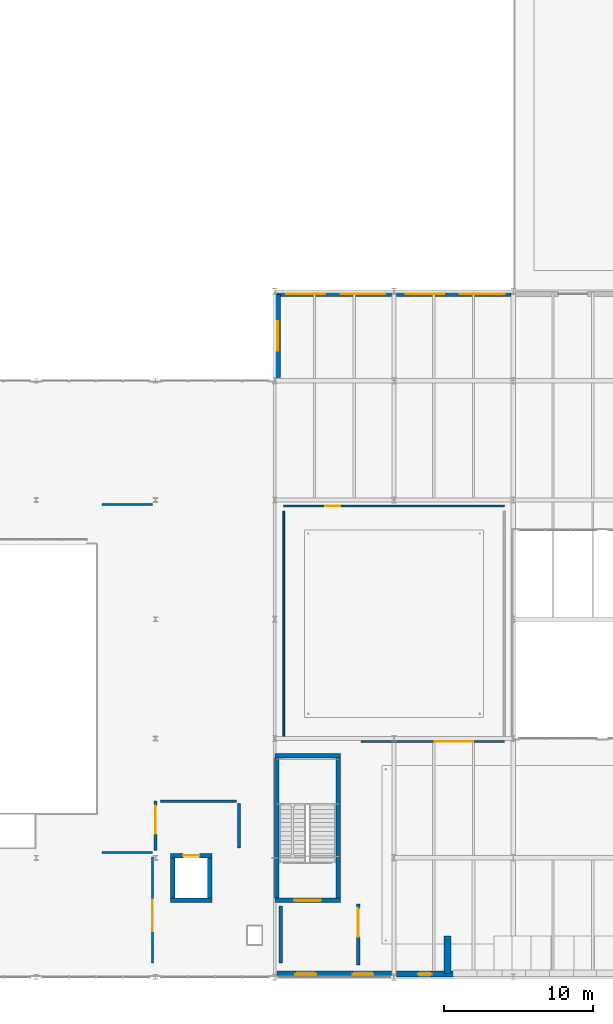
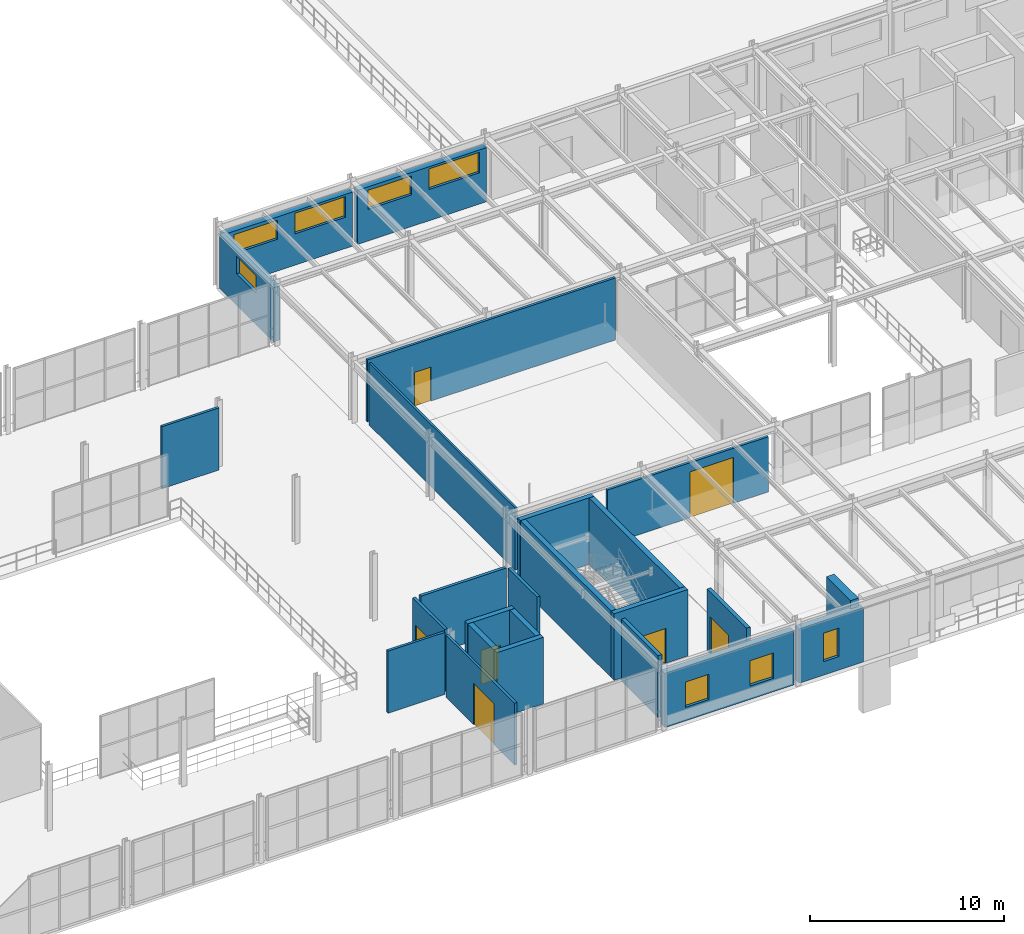
# One storey, part 39 of 67: 25 walls, 8 windows, 7 doors, 15 openings.
"""IFC4 building model written with IfcOpenShell, lengths in metres."""

from ifc_helpers import new_model, si_unit, direction, frame, frame_2d, origin, place, context, subcontext, project, spatial, rectangle, extrude, material, layer, layer_set, type_object, element, fill, save


model = new_model("IFC4")

# Units and contexts
model_context = context("Model", 3, precision=1e-05, world=origin(), true_north=direction((0.0, 1.0)))
body_context = subcontext(model_context, "Body", "Model", "MODEL_VIEW")
ifc_project = project(units=[si_unit("LENGTHUNIT", "METRE"), si_unit("AREAUNIT", "SQUARE_METRE"), si_unit("VOLUMEUNIT", "CUBIC_METRE"), si_unit("PLANEANGLEUNIT", "RADIAN"), si_unit("MASSUNIT", "GRAM", prefix="KILO")], contexts=[model_context])

# Site, building, storey
site_placement = place(None, origin())
site = spatial("IfcSite", under=ifc_project, at=site_placement, CompositionType="ELEMENT")
building_placement = place(site_placement, origin())
building = spatial("IfcBuilding", under=site, at=building_placement, Name="Sundkrona Museum", CompositionType="ELEMENT")
storey_placement = place(building_placement, frame((0.0, 0.0, 21.800048828125)))
storey = spatial("IfcBuildingStorey", under=building, at=storey_placement, Name="L04", CompositionType="ELEMENT", Elevation=21.800048828125)

# Wall, opening, door
ifc_material_1 = material(Name="Concrete C40/50", Category="concrete")
ifc_layer_1 = layer(ifc_material_1, 0.300048828125)
ifc_layer_set_1 = layer_set([ifc_layer_1], Name="Concrete C40/50")
wall_type_1 = type_object("IfcWallType", Name="W-CORE-300", PredefinedType="SHEAR", material=ifc_layer_set_1)
wall_1_placement = place(storey_placement, frame((120.0, 5.14990234375, 0.0), z_axis=(0.0, 0.0, 1.0), x_axis=(1.0, 0.0, 0.0)))
wall_1 = element("IfcWall", 1, at=wall_1_placement, inside=storey, type_object=wall_type_1, Name="L04 ST-2 Core Shear Wall South", PredefinedType="SHEAR", context=body_context, shape_type="SweptSolid", body=[
    extrude(rectangle(XDim=4.39990234375, YDim=0.300048828125, at=frame_2d((2.199951171875, 0.0))), origin(), (0.0, 0.0, 1.0), 4.199951171875),
])
opening_1_placement = place(wall_1_placement, frame((1.300048828125, 0.0, 0.0)))
opening_1 = element("IfcOpeningElement", 2, at=opening_1_placement, cuts=wall_1, Name="Opening D-FD60", PredefinedType="OPENING", context=body_context, shape_type="SweptSolid", body=[
    extrude(rectangle(XDim=1.800048828125, YDim=2.199951171875, at=frame_2d((0.89990234375, 1.10009765625))), frame((0.0, 0.159912109375, 0.0), z_axis=(0.0, -1.0, 0.0), x_axis=(1.0, 0.0, 0.0)), (0.0, 0.0, 1.0), 0.320068359375),
])
ifc_material_2 = material(Name="Steel S355J2 Fire Door Leaf", Category="steel")
door_type_1 = type_object("IfcDoorType", Name="D-FD60", OperationType="DOUBLE_DOOR_SINGLE_SWING", PredefinedType="DOOR", material=ifc_material_2)
door_1_placement = place(opening_1_placement, origin())
door_1 = element("IfcDoor", 3, at=door_1_placement, inside=storey, type_object=door_type_1, Name="L04 ST-2 Protected Escape Stair Door DR-ST-2-L04", OperationType="DOUBLE_DOOR_SINGLE_SWING", OverallHeight=2.199951171875, OverallWidth=1.800048828125, PredefinedType="DOOR", context=body_context, shape_type="SweptSolid", body=[
    extrude(rectangle(XDim=1.800048828125, YDim=2.199951171875, at=frame_2d((0.89990234375, 1.10009765625))), frame((0.0, 0.02490234375, 0.0), z_axis=(0.0, -1.0, 0.0), x_axis=(1.0, 0.0, 0.0)), (0.0, 0.0, 1.0), 0.050048828125),
])
fill(opening_1, door_1)

# Walls
wall_2_placement = place(storey_placement, frame((120.0, 14.85009765625, 0.0), z_axis=(0.0, 0.0, 1.0), x_axis=(1.0, 0.0, 0.0)))
element("IfcWall", 4, at=wall_2_placement, inside=storey, type_object=wall_type_1, Name="L04 ST-2 Core Shear Wall North", PredefinedType="SHEAR", context=body_context, shape_type="SweptSolid", body=[
    extrude(rectangle(XDim=4.39990234375, YDim=0.300048828125, at=frame_2d((2.199951171875, 0.0))), origin(), (0.0, 0.0, 1.0), 4.199951171875),
])
for number, where, z_axis, x_axis, name in (
    (5, (120.14990234375, 5.31005859375, 0.0), (0.0, 0.0, 1.0), (0.0, 1.0, 0.0), "L04 ST-2 Core Shear Wall West"),
    (6, (124.25, 5.31005859375, 0.0), (0.0, 0.0, 1.0), (0.0, 1.0, 0.0), "L04 ST-2 Core Shear Wall East"),
):
    element("IfcWall", number, at=place(storey_placement, frame(where, z_axis=z_axis, x_axis=x_axis)), inside=storey, type_object=wall_type_1, Name=name, PredefinedType="SHEAR", context=body_context, shape_type="SweptSolid", body=[
        extrude(rectangle(XDim=9.3798828125, YDim=0.300048828125, at=frame_2d((4.68994140625, 0.0))), origin(), (0.0, 0.0, 1.0), 4.199951171875),
    ])
wall_3_placement = place(storey_placement, frame((113.0, 5.14990234375, 0.0), z_axis=(0.0, 0.0, 1.0), x_axis=(1.0, 0.0, 0.0)))
element("IfcWall", 7, at=wall_3_placement, inside=storey, type_object=wall_type_1, Name="L04 PL-2 Lift Shaft Wall South", PredefinedType="SHEAR", context=body_context, shape_type="SweptSolid", body=[
    extrude(rectangle(XDim=2.800048828125, YDim=0.300048828125, at=frame_2d((1.39990234375, 0.0))), origin(), (0.0, 0.0, 1.0), 4.199951171875),
])

# Wall, opening, door
wall_4_placement = place(storey_placement, frame((113.0, 8.14990234375, 0.0), z_axis=(0.0, 0.0, 1.0), x_axis=(1.0, 0.0, 0.0)))
wall_4 = element("IfcWall", 8, at=wall_4_placement, inside=storey, type_object=wall_type_1, Name="L04 PL-2 Lift Shaft Wall North", PredefinedType="SHEAR", context=body_context, shape_type="SweptSolid", body=[
    extrude(rectangle(XDim=2.800048828125, YDim=0.300048828125, at=frame_2d((1.39990234375, 0.0))), origin(), (0.0, 0.0, 1.0), 4.199951171875),
])
opening_2_placement = place(wall_4_placement, frame((0.85009765625, 0.0, 0.0)))
opening_2 = element("IfcOpeningElement", 9, at=opening_2_placement, cuts=wall_4, Name="Opening LD-01", PredefinedType="OPENING", context=body_context, shape_type="SweptSolid", body=[
    extrude(rectangle(XDim=1.10009765625, YDim=2.14990234375, at=frame_2d((0.550048828125, 1.074951171875))), frame((0.0, 0.159912109375, 0.0), z_axis=(0.0, -1.0, 0.0), x_axis=(1.0, 0.0, 0.0)), (0.0, 0.0, 1.0), 0.320068359375),
])
ifc_material_3 = material(Name="Brushed Stainless Steel Lift Door", Category="steel")
door_type_2 = type_object("IfcDoorType", Name="LD-01", OperationType="SLIDING_TO_LEFT", PredefinedType="DOOR", material=ifc_material_3)
door_2_placement = place(opening_2_placement, origin())
door_2 = element("IfcDoor", 10, at=door_2_placement, inside=storey, type_object=door_type_2, Name="L04 Public Gallery Passenger Lift PL-2 Landing Door DR-LIFT-PL-2-L04", OperationType="SLIDING_TO_LEFT", OverallHeight=2.14990234375, OverallWidth=1.10009765625, PredefinedType="DOOR", context=body_context, shape_type="SweptSolid", body=[
    extrude(rectangle(XDim=1.10009765625, YDim=2.14990234375, at=frame_2d((0.550048828125, 1.074951171875))), frame((0.0, 0.02490234375, 0.0), z_axis=(0.0, -1.0, 0.0), x_axis=(1.0, 0.0, 0.0)), (0.0, 0.0, 1.0), 0.050048828125),
])
fill(opening_2, door_2)

# Walls
for number, where, z_axis, x_axis, name in (
    (11, (113.14990234375, 5.31005859375, 0.0), (0.0, 0.0, 1.0), (0.0, 1.0, 0.0), "L04 PL-2 Lift Shaft Wall West"),
    (12, (115.64990234375, 5.31005859375, 0.0), (0.0, 0.0, 1.0), (0.0, 1.0, 0.0), "L04 PL-2 Lift Shaft Wall East"),
):
    element("IfcWall", number, at=place(storey_placement, frame(where, z_axis=z_axis, x_axis=x_axis)), inside=storey, type_object=wall_type_1, Name=name, PredefinedType="SHEAR", context=body_context, shape_type="SweptSolid", body=[
        extrude(rectangle(XDim=2.679931640625, YDim=0.300048828125, at=frame_2d((1.33984375, 0.0))), origin(), (0.0, 0.0, 1.0), 4.199951171875),
    ])

# Wall, openings, windows
ifc_material_4 = material(Name="Scanian Polychrome Clay Brickwork 390 mm", Category="masonry")
ifc_layer_2 = layer(ifc_material_4, 0.389892578125)
ifc_layer_set_2 = layer_set([ifc_layer_2], Name="Scanian Polychrome Clay Brickwork 390 mm")
wall_type_2 = type_object("IfcWallType", Name="W-EX-390", PredefinedType="SOLIDWALL", material=ifc_layer_set_2)
wall_5_placement = place(storey_placement, frame((127.847900390625, 0.195068359375, 0.0), z_axis=(0.0, 0.0, 1.0), x_axis=(-1.0, 0.0, 0.0)))
wall_5 = element("IfcWall", 13, at=wall_5_placement, inside=storey, type_object=wall_type_2, Name="L04 Facade Wall 0051", PredefinedType="SOLIDWALL", context=body_context, shape_type="SweptSolid", body=[
    extrude(rectangle(XDim=7.69580078125, YDim=0.389892578125, at=frame_2d((3.847900390625, 0.0))), origin(), (0.0, 0.0, 1.0), 3.4150390625),
])
opening_3_placement = place(wall_5_placement, frame((1.22412109375, 0.0, 0.85009765625)))
opening_3 = element("IfcOpeningElement", 14, at=opening_3_placement, cuts=wall_5, Name="Opening WN-LB-140x160", PredefinedType="OPENING", context=body_context, shape_type="SweptSolid", body=[
    extrude(rectangle(XDim=1.39990234375, YDim=1.60009765625, at=frame_2d((0.699951171875, 0.800048828125))), frame((0.0, 0.204833984375, 0.0), z_axis=(0.0, -1.0, 0.0), x_axis=(1.0, 0.0, 0.0)), (0.0, 0.0, 1.0), 0.409912109375),
])
opening_4_placement = place(wall_5_placement, frame((5.072021484375, 0.0, 0.85009765625)))
opening_4 = element("IfcOpeningElement", 15, at=opening_4_placement, cuts=wall_5, Name="Opening WN-LB-140x160", PredefinedType="OPENING", context=body_context, shape_type="SweptSolid", body=[
    extrude(rectangle(XDim=1.39990234375, YDim=1.60009765625, at=frame_2d((0.699951171875, 0.800048828125))), frame((0.0, 0.204833984375, 0.0), z_axis=(0.0, -1.0, 0.0), x_axis=(1.0, 0.0, 0.0)), (0.0, 0.0, 1.0), 0.409912109375),
])
ifc_material_5 = material(Name="Triple Low-E Argon Glazing in Bronze-Anodised Aluminium", Category="aluminium")
window_type_1 = type_object("IfcWindowType", Name="WN-LB-140x160", PartitioningType="SINGLE_PANEL", PredefinedType="WINDOW", material=ifc_material_5)
window_1_placement = place(opening_3_placement, origin())
window_1 = element("IfcWindow", 16, at=window_1_placement, inside=storey, type_object=window_type_1, Name="L04 Curatorial study window 1400x1600 WIN-L04-0067", OverallHeight=1.60009765625, OverallWidth=1.39990234375, PartitioningType="SINGLE_PANEL", PredefinedType="WINDOW", context=body_context, shape_type="SweptSolid", body=[
    extrude(rectangle(XDim=1.39990234375, YDim=1.60009765625, at=frame_2d((0.699951171875, 0.800048828125))), frame((0.0, 0.030029296875, 0.0), z_axis=(0.0, -1.0, 0.0), x_axis=(1.0, 0.0, 0.0)), (0.0, 0.0, 1.0), 0.06005859375),
])
fill(opening_3, window_1)
window_2_placement = place(opening_4_placement, origin())
window_2 = element("IfcWindow", 17, at=window_2_placement, inside=storey, type_object=window_type_1, Name="L04 Curatorial study window 1400x1600 WIN-L04-0068", OverallHeight=1.60009765625, OverallWidth=1.39990234375, PartitioningType="SINGLE_PANEL", PredefinedType="WINDOW", context=body_context, shape_type="SweptSolid", body=[
    extrude(rectangle(XDim=1.39990234375, YDim=1.60009765625, at=frame_2d((0.699951171875, 0.800048828125))), frame((0.0, 0.030029296875, 0.0), z_axis=(0.0, -1.0, 0.0), x_axis=(1.0, 0.0, 0.0)), (0.0, 0.0, 1.0), 0.06005859375),
])
fill(opening_4, window_2)

# Wall, opening, window
wall_6_placement = place(storey_placement, frame((131.989990234375, 0.195068359375, 0.0), z_axis=(0.0, 0.0, 1.0), x_axis=(-1.0, 0.0, 0.0)))
wall_6 = element("IfcWall", 18, at=wall_6_placement, inside=storey, type_object=wall_type_2, Name="L04 Facade Wall 0052", PredefinedType="SOLIDWALL", context=body_context, shape_type="SweptSolid", body=[
    extrude(rectangle(XDim=3.837890625, YDim=0.389892578125, at=frame_2d((1.9189453125, 0.0))), origin(), (0.0, 0.0, 1.0), 3.4150390625),
])
opening_5_placement = place(wall_6_placement, frame((1.468994140625, 0.0, 0.85009765625)))
opening_5 = element("IfcOpeningElement", 19, at=opening_5_placement, cuts=wall_6, Name="Opening WN-ST-090x180", PredefinedType="OPENING", context=body_context, shape_type="SweptSolid", body=[
    extrude(rectangle(XDim=0.89990234375, YDim=1.800048828125, at=frame_2d((0.449951171875, 0.89990234375))), frame((0.0, 0.204833984375, 0.0), z_axis=(0.0, -1.0, 0.0), x_axis=(1.0, 0.0, 0.0)), (0.0, 0.0, 1.0), 0.409912109375),
])
window_type_2 = type_object("IfcWindowType", Name="WN-ST-090x180", PartitioningType="SINGLE_PANEL", PredefinedType="WINDOW", material=ifc_material_5)
window_3_placement = place(opening_5_placement, origin())
window_3 = element("IfcWindow", 20, at=window_3_placement, inside=storey, type_object=window_type_2, Name="L04 Stair-core avenue daylight slot window 900x1800 WIN-L04-0069", OverallHeight=1.800048828125, OverallWidth=0.89990234375, PartitioningType="SINGLE_PANEL", PredefinedType="WINDOW", context=body_context, shape_type="SweptSolid", body=[
    extrude(rectangle(XDim=0.89990234375, YDim=1.800048828125, at=frame_2d((0.449951171875, 0.89990234375))), frame((0.0, 0.030029296875, 0.0), z_axis=(0.0, -1.0, 0.0), x_axis=(1.0, 0.0, 0.0)), (0.0, 0.0, 1.0), 0.06005859375),
])
fill(opening_5, window_3)

wall_7_placement = place(storey_placement, frame((120.195068359375, 40.201904296875, 0.0), z_axis=(0.0, 0.0, 1.0), x_axis=(0.0, 1.0, 0.0)))
wall_7 = element("IfcWall", 21, at=wall_7_placement, inside=storey, type_object=wall_type_2, Name="L04 Facade Wall 0067", PredefinedType="SOLIDWALL", context=body_context, shape_type="SweptSolid", body=[
    extrude(rectangle(XDim=5.59619140625, YDim=0.389892578125, at=frame_2d((2.798095703125, 0.0))), origin(), (0.0, 0.0, 1.0), 3.4150390625),
])
opening_6_placement = place(wall_7_placement, frame((1.798095703125, 0.0, 2.0)))
opening_6 = element("IfcOpeningElement", 22, at=opening_6_placement, cuts=wall_7, Name="Opening WN-CL-200x110", PredefinedType="OPENING", context=body_context, shape_type="SweptSolid", body=[
    extrude(rectangle(XDim=2.0, YDim=1.10009765625, at=frame_2d((1.0, 0.550048828125))), frame((0.0, 0.204833984375, 0.0), z_axis=(0.0, -1.0, 0.0), x_axis=(1.0, 0.0, 0.0)), (0.0, 0.0, 1.0), 0.409912109375),
])
window_type_3 = type_object("IfcWindowType", Name="WN-CL-200x110", PartitioningType="DOUBLE_PANEL_HORIZONTAL", PredefinedType="WINDOW", material=ifc_material_5)
window_4_placement = place(opening_6_placement, origin())
window_4 = element("IfcWindow", 23, at=window_4_placement, inside=storey, type_object=window_type_3, Name="L04 Archive foyer clerestory window 2000x1100 WIN-L04-0090", OverallHeight=1.10009765625, OverallWidth=2.0, PartitioningType="DOUBLE_PANEL_HORIZONTAL", PredefinedType="WINDOW", context=body_context, shape_type="SweptSolid", body=[
    extrude(rectangle(XDim=2.0, YDim=1.10009765625, at=frame_2d((1.0, 0.550048828125))), frame((0.0, 0.030029296875, 0.0), z_axis=(0.0, -1.0, 0.0), x_axis=(1.0, 0.0, 0.0)), (0.0, 0.0, 1.0), 0.06005859375),
])
fill(opening_6, window_4)

# Wall, opening, door
ifc_material_6 = material(Name="Autoclaved Aerated Masonry 225 mm", Category="masonry")
ifc_layer_3 = layer(ifc_material_6, 0.22509765625)
ifc_layer_set_3 = layer_set([ifc_layer_3], Name="Autoclaved Aerated Masonry 225 mm")
wall_type_3 = type_object("IfcWallType", Name="W-FF-225", PredefinedType="SOLIDWALL", material=ifc_layer_set_3)
wall_8_placement = place(storey_placement, frame((125.60009765625, 0.800048828125, 0.0), z_axis=(0.0, 0.0, 1.0), x_axis=(0.0, 1.0, 0.0)))
wall_8 = element("IfcWall", 24, at=wall_8_placement, inside=storey, type_object=wall_type_3, Name="L04 Partition Core 2 Stair Lobby / Nordic Landscape Painting Gallery", PredefinedType="SOLIDWALL", context=body_context, shape_type="SweptSolid", body=[
    extrude(rectangle(XDim=4.099853515625, YDim=0.22509765625, at=frame_2d((2.0498046875, 0.0))), origin(), (0.0, 0.0, 1.0), 3.919921875),
])
opening_7_placement = place(wall_8_placement, frame((1.89990234375, 0.0, 0.0)))
opening_7 = element("IfcOpeningElement", 25, at=opening_7_placement, cuts=wall_8, Name="Opening D-AUD-190", PredefinedType="OPENING", context=body_context, shape_type="SweptSolid", body=[
    extrude(rectangle(XDim=1.89990234375, YDim=2.35009765625, at=frame_2d((0.949951171875, 1.175048828125))), frame((0.0, 0.12255859375, 0.0), z_axis=(0.0, -1.0, 0.0), x_axis=(1.0, 0.0, 0.0)), (0.0, 0.0, 1.0), 0.2451171875),
])
ifc_material_7 = material(Name="Acoustic Oak Fire Door", Category="other")
door_type_3 = type_object("IfcDoorType", Name="D-AUD-190", OperationType="DOUBLE_DOOR_SINGLE_SWING", PredefinedType="DOOR", material=ifc_material_7)
door_3_placement = place(opening_7_placement, origin())
door_3 = element("IfcDoor", 26, at=door_3_placement, inside=storey, type_object=door_type_3, Name="L04 Interior Door DR-ADJ-L04-0189", OperationType="DOUBLE_DOOR_SINGLE_SWING", OverallHeight=2.35009765625, OverallWidth=1.89990234375, PredefinedType="DOOR", context=body_context, shape_type="SweptSolid", body=[
    extrude(rectangle(XDim=1.89990234375, YDim=2.35009765625, at=frame_2d((0.949951171875, 1.175048828125))), frame((0.0, 0.02490234375, 0.0), z_axis=(0.0, -1.0, 0.0), x_axis=(1.0, 0.0, 0.0)), (0.0, 0.0, 1.0), 0.050048828125),
])
fill(opening_7, door_3)

# Walls
wall_9_placement = place(storey_placement, frame((120.39990234375, 0.949951171875, 0.0), z_axis=(0.0, 0.0, 1.0), x_axis=(0.0, 1.0, 0.0)))
element("IfcWall", 27, at=wall_9_placement, inside=storey, type_object=wall_type_3, Name="L04 Core 2 Stair Lobby Enclosure Wall W", PredefinedType="SOLIDWALL", context=body_context, shape_type="SweptSolid", body=[
    extrude(rectangle(XDim=3.800048828125, YDim=0.22509765625, at=frame_2d((1.89990234375, 0.0))), origin(), (0.0, 0.0, 1.0), 3.919921875),
])
ifc_material_8 = material(Name="Danian Limestone Ashlar Masonry 480 mm", Category="masonry")
ifc_layer_4 = layer(ifc_material_8, 0.47998046875)
ifc_layer_set_4 = layer_set([ifc_layer_4], Name="Danian Limestone Ashlar Masonry 480 mm")
wall_type_4 = type_object("IfcWallType", Name="W-LIM-480", PredefinedType="SOLIDWALL", material=ifc_layer_set_4)
wall_10_placement = place(storey_placement, frame((131.60009765625, 0.239990234375, 0.0), z_axis=(0.0, 0.0, 1.0), x_axis=(0.0, 1.0, 0.0)))
element("IfcWall", 28, at=wall_10_placement, inside=storey, type_object=wall_type_4, Name="L04 Oculus Deep Reveal West Wall", PredefinedType="SOLIDWALL", context=body_context, shape_type="SweptSolid", body=[
    extrude(rectangle(XDim=2.510009765625, YDim=0.47998046875, at=frame_2d((1.2548828125, 0.0))), origin(), (0.0, 0.0, 1.0), 3.93994140625),
])
ifc_material_9 = material(Name="Gypsum metal-stud Partition Board 125 mm", Category="other")
ifc_layer_5 = layer(ifc_material_9, 0.125)
ifc_layer_set_5 = layer_set([ifc_layer_5], Name="Gypsum metal-stud Partition Board 125 mm")
wall_type_5 = type_object("IfcWallType", Name="W-PT-125", PredefinedType="PARTITIONING", material=ifc_layer_set_5)
wall_11_placement = place(storey_placement, frame((120.60009765625, 16.14990234375, 0.0), z_axis=(0.0, 0.0, 1.0), x_axis=(0.0, 1.0, 0.0)))
element("IfcWall", 29, at=wall_11_placement, inside=storey, type_object=wall_type_5, Name="L04 Baltic Modernism Cabinet Enclosure Wall W", PredefinedType="PARTITIONING", context=body_context, shape_type="SweptSolid", body=[
    extrude(rectangle(XDim=15.10009765625, YDim=0.125, at=frame_2d((7.550048828125, 0.0))), origin(), (0.0, 0.0, 1.0), 3.919921875),
])
ifc_material_10 = material(Name="Acoustic Gypsum Partition Board 150 mm", Category="other")
ifc_layer_6 = layer(ifc_material_10, 0.14990234375)
ifc_layer_set_6 = layer_set([ifc_layer_6], Name="Acoustic Gypsum Partition Board 150 mm")
wall_type_6 = type_object("IfcWallType", Name="W-PT-150", PredefinedType="PARTITIONING", material=ifc_layer_set_6)
wall_12_placement = place(storey_placement, frame((108.39990234375, 31.699951171875, 0.0), z_axis=(0.0, 0.0, 1.0), x_axis=(1.0, 0.0, 0.0)))
element("IfcWall", 30, at=wall_12_placement, inside=storey, type_object=wall_type_6, Name="L04 Partition Atrium Crown Rim Concourse / Atrium Level 04 East Walk", PredefinedType="PARTITIONING", context=body_context, shape_type="SweptSolid", body=[
    extrude(rectangle(XDim=3.400146484375, YDim=0.14990234375, at=frame_2d((1.7001953125, 0.0))), origin(), (0.0, 0.0, 1.0), 3.919921875),
])

# Wall, opening, door
wall_13_placement = place(storey_placement, frame((120.60009765625, 31.60009765625, 0.0), z_axis=(0.0, 0.0, 1.0), x_axis=(1.0, 0.0, 0.0)))
wall_13 = element("IfcWall", 31, at=wall_13_placement, inside=storey, type_object=wall_type_6, Name="L04 Partition Atrium Crown Rim Concourse / Baltic Modernism Cabinet", PredefinedType="PARTITIONING", context=body_context, shape_type="SweptSolid", body=[
    extrude(rectangle(XDim=14.7998046875, YDim=0.14990234375, at=frame_2d((7.39990234375, 0.0))), origin(), (0.0, 0.0, 1.0), 3.919921875),
])
opening_8_placement = place(wall_13_placement, frame((2.79736328125, 0.0, 0.0)))
opening_8 = element("IfcOpeningElement", 32, at=opening_8_placement, cuts=wall_13, Name="Opening D-RM-100", PredefinedType="OPENING", context=body_context, shape_type="SweptSolid", body=[
    extrude(rectangle(XDim=1.0, YDim=2.14990234375, at=frame_2d((0.5, 1.074951171875))), frame((0.0, 0.0849609375, 0.0), z_axis=(0.0, -1.0, 0.0), x_axis=(1.0, 0.0, 0.0)), (0.0, 0.0, 1.0), 0.169921875),
])
ifc_material_11 = material(Name="European Oak Door Leaf", Category="other")
door_type_4 = type_object("IfcDoorType", Name="D-RM-100", OperationType="NOTDEFINED", PredefinedType="DOOR", material=ifc_material_11)
door_4_placement = place(opening_8_placement, origin())
door_4 = element("IfcDoor", 33, at=door_4_placement, inside=storey, type_object=door_type_4, Name="L04 Interior Door DR-ADJ-L04-0195", OperationType="SINGLE_SWING_LEFT", OverallHeight=2.14990234375, OverallWidth=1.0, PredefinedType="DOOR", context=body_context, shape_type="SweptSolid", body=[
    extrude(rectangle(XDim=1.0, YDim=2.14990234375, at=frame_2d((0.5, 1.074951171875))), frame((0.0, 0.02490234375, 0.0), z_axis=(0.0, -1.0, 0.0), x_axis=(1.0, 0.0, 0.0)), (0.0, 0.0, 1.0), 0.050048828125),
])
fill(opening_8, door_4)

# Wall
wall_14_placement = place(storey_placement, frame((108.39990234375, 8.35009765625, 0.0), z_axis=(0.0, 0.0, 1.0), x_axis=(1.0, 0.0, 0.0)))
element("IfcWall", 34, at=wall_14_placement, inside=storey, type_object=wall_type_6, Name="L04 Partition Atrium Level 04 East Walk / Photography and Media Cabinet", PredefinedType="PARTITIONING", context=body_context, shape_type="SweptSolid", body=[
    extrude(rectangle(XDim=3.400146484375, YDim=0.14990234375, at=frame_2d((1.7001953125, 0.0))), origin(), (0.0, 0.0, 1.0), 3.919921875),
])

# Wall, opening, door
wall_15_placement = place(storey_placement, frame((125.800048828125, 15.800048828125, 0.0), z_axis=(0.0, 0.0, 1.0), x_axis=(1.0, 0.0, 0.0)))
wall_15 = element("IfcWall", 35, at=wall_15_placement, inside=storey, type_object=wall_type_6, Name="L04 Partition Nordic Landscape Painting Gallery / Baltic Modernism Cabinet", PredefinedType="PARTITIONING", context=body_context, shape_type="SweptSolid", body=[
    extrude(rectangle(XDim=9.599853515625, YDim=0.14990234375, at=frame_2d((4.7998046875, 0.0))), origin(), (0.0, 0.0, 1.0), 3.47998046875),
])
opening_9_placement = place(wall_15_placement, frame((4.922119140625, 0.0, 0.0)))
opening_9 = element("IfcOpeningElement", 36, at=opening_9_placement, cuts=wall_15, Name="Opening D-GAL-260", PredefinedType="OPENING", context=body_context, shape_type="SweptSolid", body=[
    extrude(rectangle(XDim=2.60009765625, YDim=2.89990234375, at=frame_2d((1.300048828125, 1.449951171875))), frame((0.0, 0.0849609375, 0.0), z_axis=(0.0, -1.0, 0.0), x_axis=(1.0, 0.0, 0.0)), (0.0, 0.0, 1.0), 0.169921875),
])
ifc_material_12 = material(Name="European Oak and Bronze Portal", Category="other")
door_type_5 = type_object("IfcDoorType", Name="D-GAL-260", OperationType="DOUBLE_DOOR_DOUBLE_SWING", PredefinedType="DOOR", material=ifc_material_12)
door_5_placement = place(opening_9_placement, origin())
door_5 = element("IfcDoor", 37, at=door_5_placement, inside=storey, type_object=door_type_5, Name="L04 Interior Door DR-ADJ-L04-0199", OperationType="DOUBLE_DOOR_DOUBLE_SWING", OverallHeight=2.89990234375, OverallWidth=2.60009765625, PredefinedType="DOOR", context=body_context, shape_type="SweptSolid", body=[
    extrude(rectangle(XDim=2.60009765625, YDim=2.89990234375, at=frame_2d((1.300048828125, 1.449951171875))), frame((0.0, 0.02490234375, 0.0), z_axis=(0.0, -1.0, 0.0), x_axis=(1.0, 0.0, 0.0)), (0.0, 0.0, 1.0), 0.050048828125),
])
fill(opening_9, door_5)

wall_16_placement = place(storey_placement, frame((111.800048828125, 0.949951171875, 0.0), z_axis=(0.0, 0.0, 1.0), x_axis=(0.0, 1.0, 0.0)))
wall_16 = element("IfcWall", 38, at=wall_16_placement, inside=storey, type_object=wall_type_6, Name="L04 Photography and Media Cabinet Enclosure Wall E", PredefinedType="PARTITIONING", context=body_context, shape_type="SweptSolid", body=[
    extrude(rectangle(XDim=7.10009765625, YDim=0.14990234375, at=frame_2d((3.550048828125, 0.0))), origin(), (0.0, 0.0, 1.0), 3.919921875),
])
opening_10_placement = place(wall_16_placement, frame((2.13330078125, 0.0, 0.0)))
opening_10 = element("IfcOpeningElement", 39, at=opening_10_placement, cuts=wall_16, Name="Opening D-GAL-210", PredefinedType="OPENING", context=body_context, shape_type="SweptSolid", body=[
    extrude(rectangle(XDim=2.10009765625, YDim=2.60009765625, at=frame_2d((1.050048828125, 1.300048828125))), frame((0.0, 0.0849609375, 0.0), z_axis=(0.0, -1.0, 0.0), x_axis=(1.0, 0.0, 0.0)), (0.0, 0.0, 1.0), 0.169921875),
])
ifc_material_13 = material(Name="European Oak Gallery Door", Category="other")
door_type_6 = type_object("IfcDoorType", Name="D-GAL-210", OperationType="DOUBLE_DOOR_SINGLE_SWING", PredefinedType="DOOR", material=ifc_material_13)
door_6_placement = place(opening_10_placement, origin())
door_6 = element("IfcDoor", 40, at=door_6_placement, inside=storey, type_object=door_type_6, Name="L04 Interior Door DR-INT-L04-0204", OperationType="DOUBLE_DOOR_SINGLE_SWING", OverallHeight=2.60009765625, OverallWidth=2.10009765625, PredefinedType="DOOR", context=body_context, shape_type="SweptSolid", body=[
    extrude(rectangle(XDim=2.10009765625, YDim=2.60009765625, at=frame_2d((1.050048828125, 1.300048828125))), frame((0.0, 0.02490234375, 0.0), z_axis=(0.0, -1.0, 0.0), x_axis=(1.0, 0.0, 0.0)), (0.0, 0.0, 1.0), 0.050048828125),
])
fill(opening_10, door_6)

ifc_material_14 = material(Name="Fire-rated Gypsum Partition Board 175 mm", Category="other")
ifc_layer_7 = layer(ifc_material_14, 0.175048828125)
ifc_layer_set_7 = layer_set([ifc_layer_7], Name="Fire-rated Gypsum Partition Board 175 mm")
wall_type_7 = type_object("IfcWallType", Name="W-PT-175", PredefinedType="PARTITIONING", material=ifc_layer_set_7)
wall_17_placement = place(storey_placement, frame((112.0, 8.5, 0.0), z_axis=(0.0, 0.0, 1.0), x_axis=(0.0, 1.0, 0.0)))
wall_17 = element("IfcWall", 41, at=wall_17_placement, inside=storey, type_object=wall_type_7, Name="L04 Partition Atrium Lift Lobby / Atrium Level 04 East Walk", PredefinedType="PARTITIONING", context=body_context, shape_type="SweptSolid", body=[
    extrude(rectangle(XDim=3.300048828125, YDim=0.175048828125, at=frame_2d((1.64990234375, 0.0))), origin(), (0.0, 0.0, 1.0), 3.919921875),
])
opening_11_placement = place(wall_17_placement, frame((1.10009765625, 0.0, 0.0)))
opening_11 = element("IfcOpeningElement", 42, at=opening_11_placement, cuts=wall_17, Name="Opening D-AUD-190", PredefinedType="OPENING", context=body_context, shape_type="SweptSolid", body=[
    extrude(rectangle(XDim=1.89990234375, YDim=2.35009765625, at=frame_2d((0.949951171875, 1.175048828125))), frame((0.0, 0.097412109375, 0.0), z_axis=(0.0, -1.0, 0.0), x_axis=(1.0, 0.0, 0.0)), (0.0, 0.0, 1.0), 0.195068359375),
])
door_7_placement = place(opening_11_placement, origin())
door_7 = element("IfcDoor", 43, at=door_7_placement, inside=storey, type_object=door_type_3, Name="L04 Interior Door DR-ADJ-L04-0190", OperationType="DOUBLE_DOOR_SINGLE_SWING", OverallHeight=2.35009765625, OverallWidth=1.89990234375, PredefinedType="DOOR", context=body_context, shape_type="SweptSolid", body=[
    extrude(rectangle(XDim=1.89990234375, YDim=2.35009765625, at=frame_2d((0.949951171875, 1.175048828125))), frame((0.0, 0.02490234375, 0.0), z_axis=(0.0, -1.0, 0.0), x_axis=(1.0, 0.0, 0.0)), (0.0, 0.0, 1.0), 0.050048828125),
])
fill(opening_11, door_7)

# Walls
wall_18_placement = place(storey_placement, frame((112.35009765625, 11.800048828125, 0.0), z_axis=(0.0, 0.0, 1.0), x_axis=(1.0, 0.0, 0.0)))
element("IfcWall", 44, at=wall_18_placement, inside=storey, type_object=wall_type_7, Name="L04 Atrium Lift Lobby Enclosure Wall N", PredefinedType="PARTITIONING", context=body_context, shape_type="SweptSolid", body=[
    extrude(rectangle(XDim=5.099853515625, YDim=0.175048828125, at=frame_2d((2.5498046875, 0.0))), origin(), (0.0, 0.0, 1.0), 3.919921875),
])
wall_19_placement = place(storey_placement, frame((117.60009765625, 8.64990234375, 0.0), z_axis=(0.0, 0.0, 1.0), x_axis=(0.0, 1.0, 0.0)))
element("IfcWall", 45, at=wall_19_placement, inside=storey, type_object=wall_type_7, Name="L04 Atrium Lift Lobby Enclosure Wall E", PredefinedType="PARTITIONING", context=body_context, shape_type="SweptSolid", body=[
    extrude(rectangle(XDim=3.0, YDim=0.175048828125, at=frame_2d((1.5, 0.0))), origin(), (0.0, 0.0, 1.0), 3.919921875),
])

# Wall, openings, windows
ifc_material_15 = material(Name="Vitrified Stoneware Mosaic Cladding 360 mm", Category="masonry")
ifc_layer_8 = layer(ifc_material_15, 0.360107421875)
ifc_layer_set_8 = layer_set([ifc_layer_8], Name="Vitrified Stoneware Mosaic Cladding 360 mm")
wall_type_8 = type_object("IfcWallType", Name="W-SP-360", PredefinedType="ELEMENTEDWALL", material=ifc_layer_set_8)
wall_20_placement = place(storey_placement, frame((120.152099609375, 45.820068359375, 0.0), z_axis=(0.0, 0.0, 1.0), x_axis=(1.0, 0.0, 0.0)))
wall_20 = element("IfcWall", 46, at=wall_20_placement, inside=storey, type_object=wall_type_8, Name="L04 Facade Wall 0061", PredefinedType="ELEMENTEDWALL", context=body_context, shape_type="SweptSolid", body=[
    extrude(rectangle(XDim=7.69580078125, YDim=0.360107421875, at=frame_2d((3.847900390625, 0.0))), origin(), (0.0, 0.0, 1.0), 3.4150390625),
])
opening_12_placement = place(wall_20_placement, frame((0.6240234375, 0.0, 2.0)))
opening_12 = element("IfcOpeningElement", 47, at=opening_12_placement, cuts=wall_20, Name="Opening WN-CL-260x120", PredefinedType="OPENING", context=body_context, shape_type="SweptSolid", body=[
    extrude(rectangle(XDim=2.60009765625, YDim=1.199951171875, at=frame_2d((1.300048828125, 0.60009765625))), frame((0.0, 0.18994140625, 0.0), z_axis=(0.0, -1.0, 0.0), x_axis=(1.0, 0.0, 0.0)), (0.0, 0.0, 1.0), 0.380126953125),
])
opening_13_placement = place(wall_20_placement, frame((4.27197265625, 0.0, 1.97509765625)))
opening_13 = element("IfcOpeningElement", 48, at=opening_13_placement, cuts=wall_20, Name="Opening WN-CL-300x130", PredefinedType="OPENING", context=body_context, shape_type="SweptSolid", body=[
    extrude(rectangle(XDim=3.0, YDim=1.300048828125, at=frame_2d((1.5, 0.64990234375))), frame((0.0, 0.18994140625, 0.0), z_axis=(0.0, -1.0, 0.0), x_axis=(1.0, 0.0, 0.0)), (0.0, 0.0, 1.0), 0.380126953125),
])
window_type_4 = type_object("IfcWindowType", Name="WN-CL-260x120", PartitioningType="DOUBLE_PANEL_HORIZONTAL", PredefinedType="WINDOW", material=ifc_material_5)
window_5_placement = place(opening_12_placement, origin())
window_5 = element("IfcWindow", 49, at=window_5_placement, inside=storey, type_object=window_type_4, Name="L04 High-level gallery clerestory ribbon window 2600x1200 WIN-L04-0080", OverallHeight=1.199951171875, OverallWidth=2.60009765625, PartitioningType="DOUBLE_PANEL_HORIZONTAL", PredefinedType="WINDOW", context=body_context, shape_type="SweptSolid", body=[
    extrude(rectangle(XDim=2.60009765625, YDim=1.199951171875, at=frame_2d((1.300048828125, 0.60009765625))), frame((0.0, 0.030029296875, 0.0), z_axis=(0.0, -1.0, 0.0), x_axis=(1.0, 0.0, 0.0)), (0.0, 0.0, 1.0), 0.06005859375),
])
fill(opening_12, window_5)
window_type_5 = type_object("IfcWindowType", Name="WN-CL-300x130", PartitioningType="TRIPLE_PANEL_HORIZONTAL", PredefinedType="WINDOW", material=ifc_material_5)
window_6_placement = place(opening_13_placement, origin())
window_6 = element("IfcWindow", 50, at=window_6_placement, inside=storey, type_object=window_type_5, Name="L04 Exhibition clerestory window 3000x1300 WIN-L04-0081", OverallHeight=1.300048828125, OverallWidth=3.0, PartitioningType="TRIPLE_PANEL_HORIZONTAL", PredefinedType="WINDOW", context=body_context, shape_type="SweptSolid", body=[
    extrude(rectangle(XDim=3.0, YDim=1.300048828125, at=frame_2d((1.5, 0.64990234375))), frame((0.0, 0.030029296875, 0.0), z_axis=(0.0, -1.0, 0.0), x_axis=(1.0, 0.0, 0.0)), (0.0, 0.0, 1.0), 0.06005859375),
])
fill(opening_13, window_6)

wall_21_placement = place(storey_placement, frame((128.152099609375, 45.820068359375, 0.0), z_axis=(0.0, 0.0, 1.0), x_axis=(1.0, 0.0, 0.0)))
wall_21 = element("IfcWall", 51, at=wall_21_placement, inside=storey, type_object=wall_type_8, Name="L04 Facade Wall 0062", PredefinedType="ELEMENTEDWALL", context=body_context, shape_type="SweptSolid", body=[
    extrude(rectangle(XDim=7.69580078125, YDim=0.360107421875, at=frame_2d((3.847900390625, 0.0))), origin(), (0.0, 0.0, 1.0), 3.4150390625),
])
opening_14_placement = place(wall_21_placement, frame((0.6240234375, 0.0, 2.0)))
opening_14 = element("IfcOpeningElement", 52, at=opening_14_placement, cuts=wall_21, Name="Opening WN-CL-260x120", PredefinedType="OPENING", context=body_context, shape_type="SweptSolid", body=[
    extrude(rectangle(XDim=2.60009765625, YDim=1.199951171875, at=frame_2d((1.300048828125, 0.60009765625))), frame((0.0, 0.18994140625, 0.0), z_axis=(0.0, -1.0, 0.0), x_axis=(1.0, 0.0, 0.0)), (0.0, 0.0, 1.0), 0.380126953125),
])
opening_15_placement = place(wall_21_placement, frame((4.27197265625, 0.0, 1.97509765625)))
opening_15 = element("IfcOpeningElement", 53, at=opening_15_placement, cuts=wall_21, Name="Opening WN-CL-300x130", PredefinedType="OPENING", context=body_context, shape_type="SweptSolid", body=[
    extrude(rectangle(XDim=3.0, YDim=1.300048828125, at=frame_2d((1.5, 0.64990234375))), frame((0.0, 0.18994140625, 0.0), z_axis=(0.0, -1.0, 0.0), x_axis=(1.0, 0.0, 0.0)), (0.0, 0.0, 1.0), 0.380126953125),
])
window_7_placement = place(opening_14_placement, origin())
window_7 = element("IfcWindow", 54, at=window_7_placement, inside=storey, type_object=window_type_4, Name="L04 High-level gallery clerestory ribbon window 2600x1200 WIN-L04-0082", OverallHeight=1.199951171875, OverallWidth=2.60009765625, PartitioningType="DOUBLE_PANEL_HORIZONTAL", PredefinedType="WINDOW", context=body_context, shape_type="SweptSolid", body=[
    extrude(rectangle(XDim=2.60009765625, YDim=1.199951171875, at=frame_2d((1.300048828125, 0.60009765625))), frame((0.0, 0.030029296875, 0.0), z_axis=(0.0, -1.0, 0.0), x_axis=(1.0, 0.0, 0.0)), (0.0, 0.0, 1.0), 0.06005859375),
])
fill(opening_14, window_7)
window_8_placement = place(opening_15_placement, origin())
window_8 = element("IfcWindow", 55, at=window_8_placement, inside=storey, type_object=window_type_5, Name="L04 Exhibition clerestory window 3000x1300 WIN-L04-0083", OverallHeight=1.300048828125, OverallWidth=3.0, PartitioningType="TRIPLE_PANEL_HORIZONTAL", PredefinedType="WINDOW", context=body_context, shape_type="SweptSolid", body=[
    extrude(rectangle(XDim=3.0, YDim=1.300048828125, at=frame_2d((1.5, 0.64990234375))), frame((0.0, 0.030029296875, 0.0), z_axis=(0.0, -1.0, 0.0), x_axis=(1.0, 0.0, 0.0)), (0.0, 0.0, 1.0), 0.06005859375),
])
fill(opening_15, window_8)

save(model, "model.ifc")
